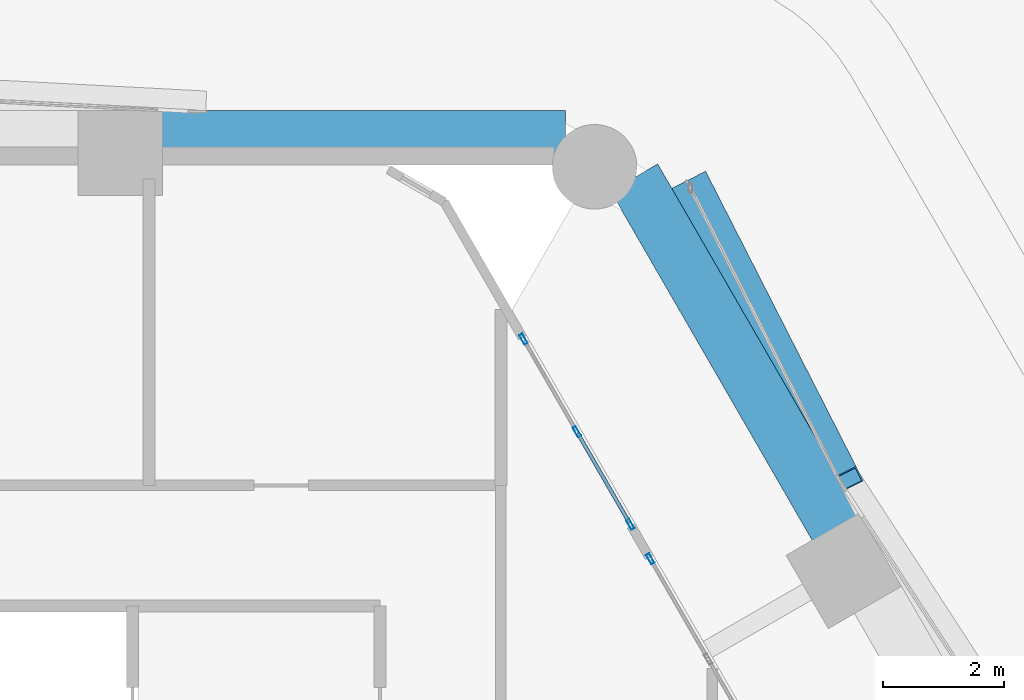
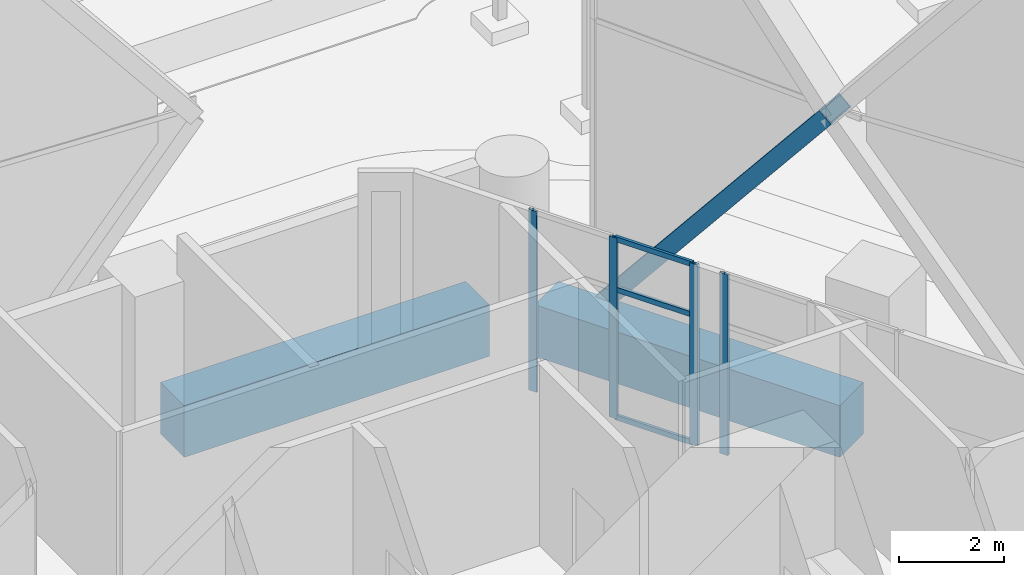
# One storey, part 46 of 71: 8 members, 2 beams, 2 elements without a shape of their own.
"""IFC4 building model written with IfcOpenShell, lengths in metres."""

from ifc_helpers import new_model, si_unit, direction, frame, origin, origin_2d, place, context, subcontext, project, spatial, rectangle, hollow_rectangle, extrude, material, material_profile, profile_set, type_object, element, aggregate, save


model = new_model("IFC4")

# Units and contexts
model_context = context("Model", 3, precision=1e-05, world=origin(), true_north=direction((0.0, 1.0)))
body_context = subcontext(model_context, "Body", "Model", "MODEL_VIEW")
ifc_project = project(units=[si_unit("LENGTHUNIT", "METRE"), si_unit("AREAUNIT", "SQUARE_METRE"), si_unit("VOLUMEUNIT", "CUBIC_METRE"), si_unit("PLANEANGLEUNIT", "RADIAN"), si_unit("MASSUNIT", "GRAM", prefix="KILO")], contexts=[model_context])

# Site, building, storey
site_placement = place(None, origin())
site = spatial("IfcSite", under=ifc_project, at=site_placement, CompositionType="ELEMENT")
building_placement = place(site_placement, origin())
building = spatial("IfcBuilding", under=site, at=building_placement, Name="Ostrander Bayou Hotel Tower", CompositionType="ELEMENT")
storey_placement = place(building_placement, frame((0.0, 0.0, 10.0)))
storey = spatial("IfcBuildingStorey", under=building, at=storey_placement, Name="L02", CompositionType="ELEMENT", Elevation=10.0)

# Curtain wall, member
ifc_material_1 = material(Name="Aluminium and clear glass", Category="aluminium")
curtain_wall_type = type_object("IfcCurtainWallType", Name="CW-SKY amenity glass wall", PredefinedType="NOTDEFINED", material=ifc_material_1)
curtain_wall_1_placement = place(storey_placement, origin())
curtain_wall_1 = element("IfcCurtainWall", 1, at=curtain_wall_1_placement, inside=storey, type_object=curtain_wall_type, Name="CW-SKY L02 NE 4", PredefinedType="NOTDEFINED")
ifc_material_2 = material(Name="Aluminium", Category="aluminium")
ifc_material_profile_1 = material_profile(ifc_material_2, hollow_rectangle(XDim=0.06005859375, YDim=0.179931640625, WallThickness=0.00390625, at=origin_2d()))
ifc_profile_set_1 = profile_set([ifc_material_profile_1], Name="Aluminium")
member_type_1 = type_object("IfcMemberType", Name="CW-SK mullion 60 x 180 mm", PredefinedType="MULLION", material=ifc_profile_set_1)
member_1_placement = place(storey_placement, frame((12.971435546875, 14.3828125, 0.0), z_axis=(0.0, 0.0, 1.0), x_axis=(-0.866025463091, -0.499999897278, 0.0)))
member_1 = element("IfcMember", 2, at=member_1_placement, type_object=member_type_1, Name="CW-SKY mullion 3", PredefinedType="MULLION", context=body_context, shape_type="SweptSolid", body=[
    extrude(hollow_rectangle(XDim=0.06005859375, YDim=0.179931640625, WallThickness=0.00390625, at=origin_2d()), origin(), (0.0, 0.0, 1.0), 4.199951171875),
])
aggregate(curtain_wall_1, [member_1])

# Curtain wall, members
curtain_wall_2_placement = place(storey_placement, origin())
curtain_wall_2 = element("IfcCurtainWall", 3, at=curtain_wall_2_placement, inside=storey, type_object=curtain_wall_type, Name="CW-SKY L02 NE 5", PredefinedType="NOTDEFINED")
member_2_placement = place(storey_placement, frame((12.6416015625, 14.954345703125, 0.0), z_axis=(0.0, 0.0, 1.0), x_axis=(-0.866025997283, -0.499998972029, 0.0)))
member_2 = element("IfcMember", 4, at=member_2_placement, type_object=member_type_1, Name="CW-SKY mullion 1", PredefinedType="MULLION", context=body_context, shape_type="SweptSolid", body=[
    extrude(hollow_rectangle(XDim=0.06005859375, YDim=0.179931640625, WallThickness=0.00390625, at=origin_2d()), origin(), (0.0, 0.0, 1.0), 4.199951171875),
])
member_3_placement = place(storey_placement, frame((11.756591796875, 16.487060546875, 0.0), z_axis=(0.0, 0.0, 1.0), x_axis=(-0.866025997283, -0.499998972029, 0.0)))
member_3 = element("IfcMember", 5, at=member_3_placement, type_object=member_type_1, Name="CW-SKY mullion 2", PredefinedType="MULLION", context=body_context, shape_type="SweptSolid", body=[
    extrude(hollow_rectangle(XDim=0.06005859375, YDim=0.179931640625, WallThickness=0.00390625, at=origin_2d()), origin(), (0.0, 0.0, 1.0), 4.199951171875),
])
member_4_placement = place(storey_placement, frame((10.87158203125, 18.02001953125, 0.0), z_axis=(0.0, 0.0, 1.0), x_axis=(-0.866025997283, -0.499998972029, 0.0)))
member_4 = element("IfcMember", 6, at=member_4_placement, type_object=member_type_1, Name="CW-SKY mullion 3", PredefinedType="MULLION", context=body_context, shape_type="SweptSolid", body=[
    extrude(hollow_rectangle(XDim=0.06005859375, YDim=0.179931640625, WallThickness=0.00390625, at=origin_2d()), origin(), (0.0, 0.0, 1.0), 4.199951171875),
])
ifc_material_3 = material(Name="Aluminium", Category="aluminium")
ifc_material_profile_2 = material_profile(ifc_material_3, hollow_rectangle(XDim=0.06005859375, YDim=0.1201171875, WallThickness=0.00390625, at=origin_2d()))
ifc_profile_set_2 = profile_set([ifc_material_profile_2], Name="Aluminium")
member_type_2 = type_object("IfcMemberType", Name="CW-SK transom 60 x 120 mm", PredefinedType="USERDEFINED", material=ifc_profile_set_2)
member_5_placement = place(storey_placement, frame((12.62646484375, 14.980224609375, 0.030029296875), z_axis=(-0.499977863513, 0.866038183914, 0.0), x_axis=(-0.866038183914, -0.499977863513, 0.0)))
member_5 = element("IfcMember", 7, at=member_5_placement, type_object=member_type_2, Name="CW-SKY transom 1.1", ObjectType="TRANSOM", PredefinedType="USERDEFINED", context=body_context, shape_type="SweptSolid", body=[
    extrude(hollow_rectangle(XDim=0.06005859375, YDim=0.1201171875, WallThickness=0.00390625, at=origin_2d()), origin(), (0.0, 0.0, 1.0), 1.7099609375),
])
member_6_placement = place(storey_placement, frame((12.62646484375, 14.980224609375, 3.0), z_axis=(-0.499977863513, 0.866038183914, 0.0), x_axis=(-0.866038183914, -0.499977863513, 0.0)))
member_6 = element("IfcMember", 8, at=member_6_placement, type_object=member_type_2, Name="CW-SKY transom 1.2", ObjectType="TRANSOM", PredefinedType="USERDEFINED", context=body_context, shape_type="SweptSolid", body=[
    extrude(hollow_rectangle(XDim=0.06005859375, YDim=0.1201171875, WallThickness=0.00390625, at=origin_2d()), origin(), (0.0, 0.0, 1.0), 1.7099609375),
])
member_7_placement = place(storey_placement, frame((12.62646484375, 14.980224609375, 4.169921875), z_axis=(-0.499977863513, 0.866038183914, 0.0), x_axis=(-0.866038183914, -0.499977863513, 0.0)))
member_7 = element("IfcMember", 9, at=member_7_placement, type_object=member_type_2, Name="CW-SKY transom 1.3", ObjectType="TRANSOM", PredefinedType="USERDEFINED", context=body_context, shape_type="SweptSolid", body=[
    extrude(hollow_rectangle(XDim=0.06005859375, YDim=0.1201171875, WallThickness=0.00390625, at=origin_2d()), origin(), (0.0, 0.0, 1.0), 1.7099609375),
])
aggregate(curtain_wall_2, [member_2, member_3, member_4, member_5, member_6, member_7])

# Member
ifc_material_4 = material(Name="Steel ASTM A572 Gr 50", Category="steel")
ifc_material_profile_3 = material_profile(ifc_material_4, hollow_rectangle(XDim=0.699951171875, YDim=0.35009765625, WallThickness=0.02490234375, at=origin_2d()))
ifc_profile_set_3 = profile_set([ifc_material_profile_3], Name="Steel ASTM A572 Gr 50")
member_type_3 = type_object("IfcMemberType", Name="LT1 lattice member box 700 x 350 x 25 mm", PredefinedType="BRACE", material=ifc_profile_set_3)
member_8_placement = place(storey_placement, frame((16.126953125, 15.63330078125, 6.14990234375), z_axis=(-0.286219486036, 0.561770663617, -0.776203663553), x_axis=(-0.891017407703, -0.453969139007, 0.0)))
element("IfcMember", 10, at=member_8_placement, inside=storey, type_object=member_type_3, Name="LT1 L02 NE 7", PredefinedType="BRACE", context=body_context, shape_type="SweptSolid", body=[
    extrude(hollow_rectangle(XDim=0.699951171875, YDim=0.35009765625, WallThickness=0.02490234375, at=origin_2d()), origin(), (0.0, 0.0, 1.0), 8.6962890625),
])

# Beams
ifc_material_5 = material(Name="Concrete f'c 70 MPa", Category="concrete")
ifc_material_profile_4 = material_profile(ifc_material_5, rectangle(XDim=0.89990234375, YDim=1.199951171875, at=origin_2d()))
ifc_profile_set_4 = profile_set([ifc_material_profile_4], Name="Concrete f'c 70 MPa")
beam_type = type_object("IfcBeamType", Name="SP1 spandrel beam 900 x 1200 mm f'c 70 MPa", PredefinedType="SPANDREL", material=ifc_profile_set_4)
for number, where, z_axis, x_axis, name in (
    (11, (11.569091796875, 21.35009765625, -0.60009765625), (-1.0, 0.0, 0.0), (0.0, -1.0, 0.0), "SP1 L02 N-1"),
    (12, (16.056884765625, 14.888671875, -0.60009765625), (-0.500005133765, 0.866022439784, 0.0), (-0.866022439784, -0.500005133765, 0.0), "SP1 L02 NE-3"),
):
    element("IfcBeam", number, at=place(storey_placement, frame(where, z_axis=z_axis, x_axis=x_axis)), inside=storey, type_object=beam_type, Name=name, PredefinedType="SPANDREL", context=body_context, shape_type="SweptSolid", body=[
        extrude(rectangle(XDim=0.89990234375, YDim=1.199951171875, at=origin_2d()), origin(), (0.0, 0.0, 1.0), 6.70361328125),
    ])

save(model, "model.ifc")
